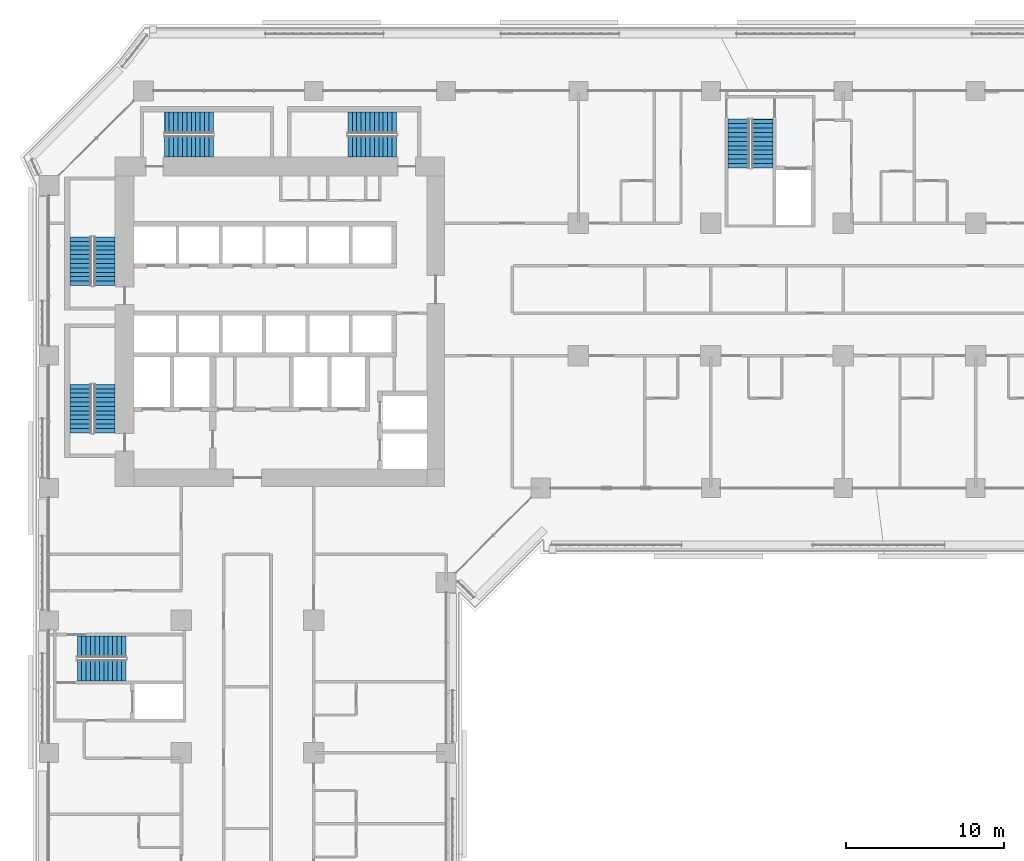
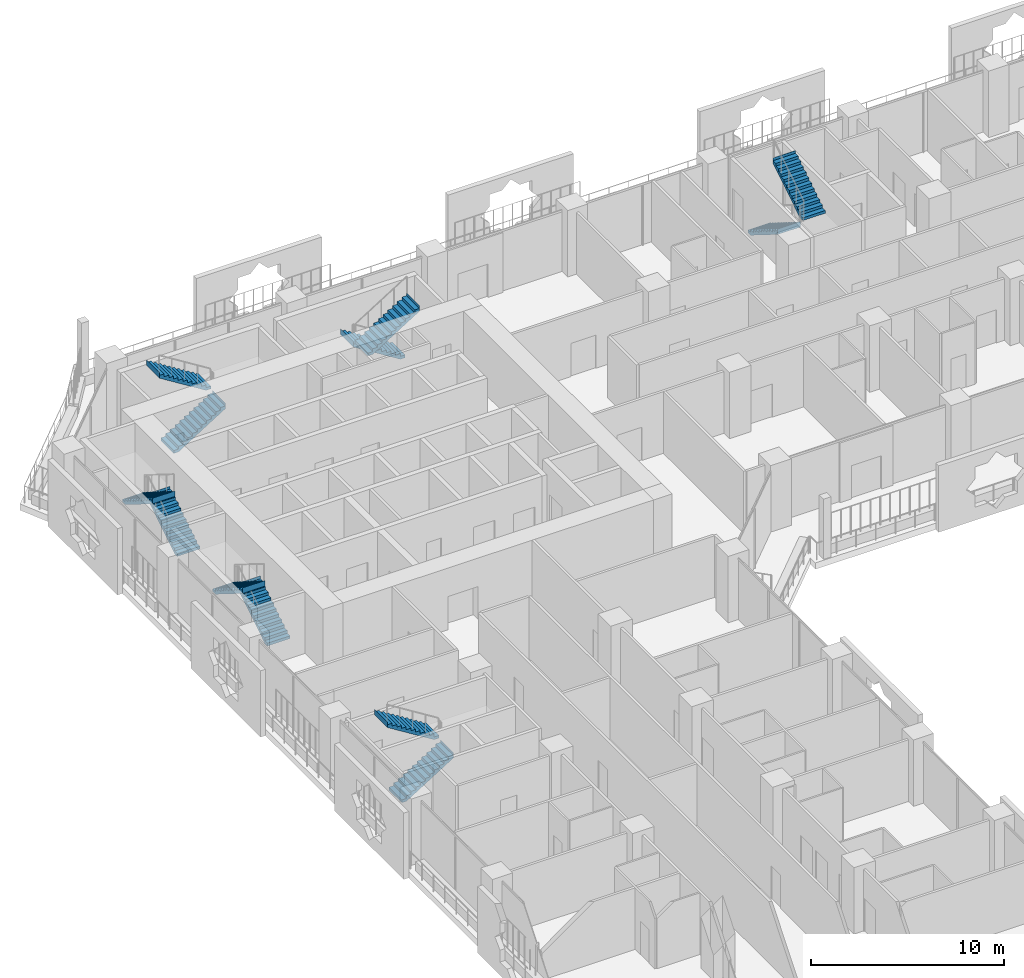
# One storey, part 19 of 27: 12 stair flights, 6 elements without a shape of their own.
"""IFC4 building model written with IfcOpenShell, lengths in metres."""

from ifc_helpers import new_model, si_unit, direction, frame, origin, place, context, subcontext, project, spatial, polyline, outline, extrude, material, type_object, element, aggregate, save


model = new_model("IFC4")

# Units and contexts
model_context = context("Model", 3, precision=1e-05, world=origin(), true_north=direction((0.0, 1.0)))
body_context = subcontext(model_context, "Body", "Model", "MODEL_VIEW")
ifc_project = project(units=[si_unit("LENGTHUNIT", "METRE"), si_unit("AREAUNIT", "SQUARE_METRE"), si_unit("VOLUMEUNIT", "CUBIC_METRE"), si_unit("PLANEANGLEUNIT", "RADIAN"), si_unit("MASSUNIT", "GRAM", prefix="KILO")], contexts=[model_context])

# Site, building, storey
site_placement = place(None, origin())
site = spatial("IfcSite", under=ifc_project, at=site_placement, CompositionType="ELEMENT")
building_placement = place(site_placement, origin())
building = spatial("IfcBuilding", under=site, at=building_placement, Name="Kawkab Arch Medical Tower", CompositionType="ELEMENT")
storey_placement = place(building_placement, frame((0.0, 0.0, 85.39990234375)))
storey = spatial("IfcBuildingStorey", under=building, at=storey_placement, Name="L19", CompositionType="ELEMENT", Elevation=85.39990234375)

# Stair, stair flights
ifc_material_1 = material(Name="Concrete C40/50", Category="concrete")
stair_type = type_object("IfcStairType", Name="Exit stair 1350", PredefinedType="HALF_TURN_STAIR", material=ifc_material_1)
placement = place(storey_placement, origin())
stair_1 = element("IfcStair", 1, at=placement, inside=storey, type_object=stair_type, Name="L19 Exit stair ST1", PredefinedType="HALF_TURN_STAIR")
ifc_material_2 = material(Name="Concrete C40/50", Category="concrete")
stair_flight_type = type_object("IfcStairFlightType", Name="Exit stair flight 1350", PredefinedType="STRAIGHT", material=ifc_material_2)
stair_flight_1_placement = place(storey_placement, frame((3.52490234375, -12.35009765625, 0.0), z_axis=(0.0, 0.0, 1.0), x_axis=(0.0, 1.0, 0.0)))
stair_flight_1 = element("IfcStairFlight", 2, at=stair_flight_1_placement, type_object=stair_flight_type, Name="ST1 flight 1", NumberOfRisers=12, NumberOfTreads=11, PredefinedType="STRAIGHT", RiserHeight=0.175, TreadLength=0.28, context=body_context, shape_type="SweptSolid", body=[
    extrude(outline(polyline([(-0.0029296875, 0.0), (-0.0029296875, 0.175048828125), (0.0, 0.175048828125), (0.280029296875, 0.175048828125), (0.280029296875, 0.35009765625), (0.56005859375, 0.35009765625), (0.56005859375, 0.52490234375), (0.840087890625, 0.52490234375), (0.840087890625, 0.699951171875), (1.1201171875, 0.699951171875), (1.1201171875, 0.875), (1.39990234375, 0.875), (1.39990234375, 1.050048828125), (1.679931640625, 1.050048828125), (1.679931640625, 1.22509765625), (1.9599609375, 1.22509765625), (1.9599609375, 1.39990234375), (2.239990234375, 1.39990234375), (2.239990234375, 1.574951171875), (2.52001953125, 1.574951171875), (2.52001953125, 1.75), (2.800048828125, 1.75), (2.800048828125, 1.925048828125), (3.080078125, 1.925048828125), (3.080078125, 2.10009765625), (3.0830078125, 2.10009765625), (3.0830078125, 1.748291015625), (3.080078125, 1.748291015625), (0.28271484375, 0.0), (-0.0029296875, 0.0)])), frame((0.0, 0.675048828125, 0.0), z_axis=(0.0, -1.0, 0.0), x_axis=(1.0, 0.0, 0.0)), (0.0, 0.0, 1.0), 1.35009765625),
])
stair_flight_2_placement = place(storey_placement, frame((2.02490234375, -9.27001953125, 2.10009765625), z_axis=(0.0, 0.0, 1.0), x_axis=(0.0, -1.0, 0.0)))
stair_flight_2 = element("IfcStairFlight", 3, at=stair_flight_2_placement, type_object=stair_flight_type, Name="ST1 flight 2", NumberOfRisers=12, NumberOfTreads=11, PredefinedType="STRAIGHT", RiserHeight=0.175, TreadLength=0.28, context=body_context, shape_type="SweptSolid", body=[
    extrude(outline(polyline([(-0.0029296875, 0.0), (-0.0029296875, 0.175048828125), (0.0, 0.175048828125), (0.280029296875, 0.175048828125), (0.280029296875, 0.35009765625), (0.56005859375, 0.35009765625), (0.56005859375, 0.52490234375), (0.840087890625, 0.52490234375), (0.840087890625, 0.699951171875), (1.1201171875, 0.699951171875), (1.1201171875, 0.875), (1.39990234375, 0.875), (1.39990234375, 1.050048828125), (1.679931640625, 1.050048828125), (1.679931640625, 1.22509765625), (1.9599609375, 1.22509765625), (1.9599609375, 1.39990234375), (2.239990234375, 1.39990234375), (2.239990234375, 1.574951171875), (2.52001953125, 1.574951171875), (2.52001953125, 1.75), (2.800048828125, 1.75), (2.800048828125, 1.925048828125), (3.080078125, 1.925048828125), (3.080078125, 2.10009765625), (3.0830078125, 2.10009765625), (3.0830078125, 1.748291015625), (3.080078125, 1.748291015625), (0.28271484375, 0.0), (-0.0029296875, 0.0)])), frame((0.0, 0.675048828125, 0.0), z_axis=(0.0, -1.0, 0.0), x_axis=(1.0, 0.0, 0.0)), (0.0, 0.0, 1.0), 1.35009765625),
])
aggregate(stair_1, [stair_flight_1, stair_flight_2])

stair_2 = element("IfcStair", 4, at=placement, inside=storey, type_object=stair_type, Name="L19 Exit stair ST2", PredefinedType="HALF_TURN_STAIR")
stair_flight_3_placement = place(storey_placement, frame((3.52490234375, -21.699951171875, 0.0), z_axis=(0.0, 0.0, 1.0), x_axis=(0.0, 1.0, 0.0)))
stair_flight_3 = element("IfcStairFlight", 5, at=stair_flight_3_placement, type_object=stair_flight_type, Name="ST2 flight 1", NumberOfRisers=12, NumberOfTreads=11, PredefinedType="STRAIGHT", RiserHeight=0.175, TreadLength=0.28, context=body_context, shape_type="SweptSolid", body=[
    extrude(outline(polyline([(-0.0029296875, 0.0), (-0.0029296875, 0.175048828125), (0.0, 0.175048828125), (0.280029296875, 0.175048828125), (0.280029296875, 0.35009765625), (0.56005859375, 0.35009765625), (0.56005859375, 0.52490234375), (0.840087890625, 0.52490234375), (0.840087890625, 0.699951171875), (1.1201171875, 0.699951171875), (1.1201171875, 0.875), (1.39990234375, 0.875), (1.39990234375, 1.050048828125), (1.679931640625, 1.050048828125), (1.679931640625, 1.22509765625), (1.9599609375, 1.22509765625), (1.9599609375, 1.39990234375), (2.239990234375, 1.39990234375), (2.239990234375, 1.574951171875), (2.52001953125, 1.574951171875), (2.52001953125, 1.75), (2.800048828125, 1.75), (2.800048828125, 1.925048828125), (3.080078125, 1.925048828125), (3.080078125, 2.10009765625), (3.0830078125, 2.10009765625), (3.0830078125, 1.748291015625), (3.080078125, 1.748291015625), (0.28271484375, 0.0), (-0.0029296875, 0.0)])), frame((0.0, 0.675048828125, 0.0), z_axis=(0.0, -1.0, 0.0), x_axis=(1.0, 0.0, 0.0)), (0.0, 0.0, 1.0), 1.35009765625),
])
stair_flight_4_placement = place(storey_placement, frame((2.02490234375, -18.6201171875, 2.10009765625), z_axis=(0.0, 0.0, 1.0), x_axis=(0.0, -1.0, 0.0)))
stair_flight_4 = element("IfcStairFlight", 6, at=stair_flight_4_placement, type_object=stair_flight_type, Name="ST2 flight 2", NumberOfRisers=12, NumberOfTreads=11, PredefinedType="STRAIGHT", RiserHeight=0.175, TreadLength=0.28, context=body_context, shape_type="SweptSolid", body=[
    extrude(outline(polyline([(-0.0029296875, 0.0), (-0.0029296875, 0.175048828125), (0.0, 0.175048828125), (0.280029296875, 0.175048828125), (0.280029296875, 0.35009765625), (0.56005859375, 0.35009765625), (0.56005859375, 0.52490234375), (0.840087890625, 0.52490234375), (0.840087890625, 0.699951171875), (1.1201171875, 0.699951171875), (1.1201171875, 0.875), (1.39990234375, 0.875), (1.39990234375, 1.050048828125), (1.679931640625, 1.050048828125), (1.679931640625, 1.22509765625), (1.9599609375, 1.22509765625), (1.9599609375, 1.39990234375), (2.239990234375, 1.39990234375), (2.239990234375, 1.574951171875), (2.52001953125, 1.574951171875), (2.52001953125, 1.75), (2.800048828125, 1.75), (2.800048828125, 1.925048828125), (3.080078125, 1.925048828125), (3.080078125, 2.10009765625), (3.0830078125, 2.10009765625), (3.0830078125, 1.748291015625), (3.080078125, 1.748291015625), (0.28271484375, 0.0), (-0.0029296875, 0.0)])), frame((0.0, 0.675048828125, 0.0), z_axis=(0.0, -1.0, 0.0), x_axis=(1.0, 0.0, 0.0)), (0.0, 0.0, 1.0), 1.35009765625),
])
aggregate(stair_2, [stair_flight_3, stair_flight_4])

stair_3 = element("IfcStair", 7, at=placement, inside=storey, type_object=stair_type, Name="L19 Exit stair ST3", PredefinedType="HALF_TURN_STAIR")
stair_flight_5_placement = place(storey_placement, frame((7.35009765625, -3.52490234375, 0.0), z_axis=(0.0, 0.0, 1.0), x_axis=(1.0, 0.0, 0.0)))
stair_flight_5 = element("IfcStairFlight", 8, at=stair_flight_5_placement, type_object=stair_flight_type, Name="ST3 flight 1", NumberOfRisers=12, NumberOfTreads=11, PredefinedType="STRAIGHT", RiserHeight=0.175, TreadLength=0.28, context=body_context, shape_type="SweptSolid", body=[
    extrude(outline(polyline([(-0.0029296875, 0.0), (-0.0029296875, 0.175048828125), (0.0, 0.175048828125), (0.280029296875, 0.175048828125), (0.280029296875, 0.35009765625), (0.56005859375, 0.35009765625), (0.56005859375, 0.52490234375), (0.840087890625, 0.52490234375), (0.840087890625, 0.699951171875), (1.1201171875, 0.699951171875), (1.1201171875, 0.875), (1.39990234375, 0.875), (1.39990234375, 1.050048828125), (1.679931640625, 1.050048828125), (1.679931640625, 1.22509765625), (1.9599609375, 1.22509765625), (1.9599609375, 1.39990234375), (2.239990234375, 1.39990234375), (2.239990234375, 1.574951171875), (2.52001953125, 1.574951171875), (2.52001953125, 1.75), (2.800048828125, 1.75), (2.800048828125, 1.925048828125), (3.080078125, 1.925048828125), (3.080078125, 2.10009765625), (3.0830078125, 2.10009765625), (3.0830078125, 1.748291015625), (3.080078125, 1.748291015625), (0.28271484375, 0.0), (-0.0029296875, 0.0)])), frame((0.0, 0.675048828125, 0.0), z_axis=(0.0, -1.0, 0.0), x_axis=(1.0, 0.0, 0.0)), (0.0, 0.0, 1.0), 1.35009765625),
])
stair_flight_6_placement = place(storey_placement, frame((10.429931640625, -2.02490234375, 2.10009765625), z_axis=(0.0, 0.0, 1.0), x_axis=(-1.0, 0.0, 0.0)))
stair_flight_6 = element("IfcStairFlight", 9, at=stair_flight_6_placement, type_object=stair_flight_type, Name="ST3 flight 2", NumberOfRisers=12, NumberOfTreads=11, PredefinedType="STRAIGHT", RiserHeight=0.175, TreadLength=0.28, context=body_context, shape_type="SweptSolid", body=[
    extrude(outline(polyline([(-0.0029296875, 0.0), (-0.0029296875, 0.175048828125), (0.0, 0.175048828125), (0.280029296875, 0.175048828125), (0.280029296875, 0.35009765625), (0.56005859375, 0.35009765625), (0.56005859375, 0.52490234375), (0.840087890625, 0.52490234375), (0.840087890625, 0.699951171875), (1.1201171875, 0.699951171875), (1.1201171875, 0.875), (1.39990234375, 0.875), (1.39990234375, 1.050048828125), (1.679931640625, 1.050048828125), (1.679931640625, 1.22509765625), (1.9599609375, 1.22509765625), (1.9599609375, 1.39990234375), (2.239990234375, 1.39990234375), (2.239990234375, 1.574951171875), (2.52001953125, 1.574951171875), (2.52001953125, 1.75), (2.800048828125, 1.75), (2.800048828125, 1.925048828125), (3.080078125, 1.925048828125), (3.080078125, 2.10009765625), (3.0830078125, 2.10009765625), (3.0830078125, 1.748291015625), (3.080078125, 1.748291015625), (0.28271484375, 0.0), (-0.0029296875, 0.0)])), frame((0.0, 0.675048828125, 0.0), z_axis=(0.0, -1.0, 0.0), x_axis=(1.0, 0.0, 0.0)), (0.0, 0.0, 1.0), 1.35009765625),
])
aggregate(stair_3, [stair_flight_5, stair_flight_6])

stair_4 = element("IfcStair", 10, at=placement, inside=storey, type_object=stair_type, Name="L19 Exit stair ST4", PredefinedType="HALF_TURN_STAIR")
stair_flight_7_placement = place(storey_placement, frame((22.050048828125, -2.02490234375, 0.0), z_axis=(0.0, 0.0, 1.0), x_axis=(-1.0, 0.0, 0.0)))
stair_flight_7 = element("IfcStairFlight", 11, at=stair_flight_7_placement, type_object=stair_flight_type, Name="ST4 flight 1", NumberOfRisers=12, NumberOfTreads=11, PredefinedType="STRAIGHT", RiserHeight=0.175, TreadLength=0.28, context=body_context, shape_type="SweptSolid", body=[
    extrude(outline(polyline([(-0.0029296875, 0.0), (-0.0029296875, 0.175048828125), (0.0, 0.175048828125), (0.280029296875, 0.175048828125), (0.280029296875, 0.35009765625), (0.56005859375, 0.35009765625), (0.56005859375, 0.52490234375), (0.840087890625, 0.52490234375), (0.840087890625, 0.699951171875), (1.1201171875, 0.699951171875), (1.1201171875, 0.875), (1.39990234375, 0.875), (1.39990234375, 1.050048828125), (1.679931640625, 1.050048828125), (1.679931640625, 1.22509765625), (1.9599609375, 1.22509765625), (1.9599609375, 1.39990234375), (2.239990234375, 1.39990234375), (2.239990234375, 1.574951171875), (2.52001953125, 1.574951171875), (2.52001953125, 1.75), (2.800048828125, 1.75), (2.800048828125, 1.925048828125), (3.080078125, 1.925048828125), (3.080078125, 2.10009765625), (3.0830078125, 2.10009765625), (3.0830078125, 1.748291015625), (3.080078125, 1.748291015625), (0.28271484375, 0.0), (-0.0029296875, 0.0)])), frame((0.0, 0.675048828125, 0.0), z_axis=(0.0, -1.0, 0.0), x_axis=(1.0, 0.0, 0.0)), (0.0, 0.0, 1.0), 1.35009765625),
])
stair_flight_8_placement = place(storey_placement, frame((18.969970703125, -3.52490234375, 2.10009765625), z_axis=(0.0, 0.0, 1.0), x_axis=(1.0, 0.0, 0.0)))
stair_flight_8 = element("IfcStairFlight", 12, at=stair_flight_8_placement, type_object=stair_flight_type, Name="ST4 flight 2", NumberOfRisers=12, NumberOfTreads=11, PredefinedType="STRAIGHT", RiserHeight=0.175, TreadLength=0.28, context=body_context, shape_type="SweptSolid", body=[
    extrude(outline(polyline([(-0.0029296875, 0.0), (-0.0029296875, 0.175048828125), (0.0, 0.175048828125), (0.280029296875, 0.175048828125), (0.280029296875, 0.35009765625), (0.56005859375, 0.35009765625), (0.56005859375, 0.52490234375), (0.840087890625, 0.52490234375), (0.840087890625, 0.699951171875), (1.1201171875, 0.699951171875), (1.1201171875, 0.875), (1.39990234375, 0.875), (1.39990234375, 1.050048828125), (1.679931640625, 1.050048828125), (1.679931640625, 1.22509765625), (1.9599609375, 1.22509765625), (1.9599609375, 1.39990234375), (2.239990234375, 1.39990234375), (2.239990234375, 1.574951171875), (2.52001953125, 1.574951171875), (2.52001953125, 1.75), (2.800048828125, 1.75), (2.800048828125, 1.925048828125), (3.080078125, 1.925048828125), (3.080078125, 2.10009765625), (3.0830078125, 2.10009765625), (3.0830078125, 1.748291015625), (3.080078125, 1.748291015625), (0.28271484375, 0.0), (-0.0029296875, 0.0)])), frame((0.0, 0.675048828125, 0.0), z_axis=(0.0, -1.0, 0.0), x_axis=(1.0, 0.0, 0.0)), (0.0, 0.0, 1.0), 1.35009765625),
])
aggregate(stair_4, [stair_flight_7, stair_flight_8])

stair_5 = element("IfcStair", 13, at=placement, inside=storey, type_object=stair_type, Name="L19 Exit stair ST5", PredefinedType="HALF_TURN_STAIR")
stair_flight_9_placement = place(storey_placement, frame((43.77490234375, -1.800048828125, 0.0), z_axis=(0.0, 0.0, 1.0), x_axis=(0.0, -1.0, 0.0)))
stair_flight_9 = element("IfcStairFlight", 14, at=stair_flight_9_placement, type_object=stair_flight_type, Name="ST5 flight 1", NumberOfRisers=12, NumberOfTreads=11, PredefinedType="STRAIGHT", RiserHeight=0.175, TreadLength=0.28, context=body_context, shape_type="SweptSolid", body=[
    extrude(outline(polyline([(-0.0029296875, 0.0), (-0.0029296875, 0.175048828125), (0.0, 0.175048828125), (0.280029296875, 0.175048828125), (0.280029296875, 0.35009765625), (0.56005859375, 0.35009765625), (0.56005859375, 0.52490234375), (0.840087890625, 0.52490234375), (0.840087890625, 0.699951171875), (1.1201171875, 0.699951171875), (1.1201171875, 0.875), (1.39990234375, 0.875), (1.39990234375, 1.050048828125), (1.679931640625, 1.050048828125), (1.679931640625, 1.22509765625), (1.9599609375, 1.22509765625), (1.9599609375, 1.39990234375), (2.239990234375, 1.39990234375), (2.239990234375, 1.574951171875), (2.52001953125, 1.574951171875), (2.52001953125, 1.75), (2.800048828125, 1.75), (2.800048828125, 1.925048828125), (3.080078125, 1.925048828125), (3.080078125, 2.10009765625), (3.0830078125, 2.10009765625), (3.0830078125, 1.748291015625), (3.080078125, 1.748291015625), (0.28271484375, 0.0), (-0.0029296875, 0.0)])), frame((0.0, 0.675048828125, 0.0), z_axis=(0.0, -1.0, 0.0), x_axis=(1.0, 0.0, 0.0)), (0.0, 0.0, 1.0), 1.35009765625),
])
stair_flight_10_placement = place(storey_placement, frame((45.27490234375, -4.8798828125, 2.10009765625), z_axis=(0.0, 0.0, 1.0), x_axis=(0.0, 1.0, 0.0)))
stair_flight_10 = element("IfcStairFlight", 15, at=stair_flight_10_placement, type_object=stair_flight_type, Name="ST5 flight 2", NumberOfRisers=12, NumberOfTreads=11, PredefinedType="STRAIGHT", RiserHeight=0.175, TreadLength=0.28, context=body_context, shape_type="SweptSolid", body=[
    extrude(outline(polyline([(-0.0029296875, 0.0), (-0.0029296875, 0.175048828125), (0.0, 0.175048828125), (0.280029296875, 0.175048828125), (0.280029296875, 0.35009765625), (0.56005859375, 0.35009765625), (0.56005859375, 0.52490234375), (0.840087890625, 0.52490234375), (0.840087890625, 0.699951171875), (1.1201171875, 0.699951171875), (1.1201171875, 0.875), (1.39990234375, 0.875), (1.39990234375, 1.050048828125), (1.679931640625, 1.050048828125), (1.679931640625, 1.22509765625), (1.9599609375, 1.22509765625), (1.9599609375, 1.39990234375), (2.239990234375, 1.39990234375), (2.239990234375, 1.574951171875), (2.52001953125, 1.574951171875), (2.52001953125, 1.75), (2.800048828125, 1.75), (2.800048828125, 1.925048828125), (3.080078125, 1.925048828125), (3.080078125, 2.10009765625), (3.0830078125, 2.10009765625), (3.0830078125, 1.748291015625), (3.080078125, 1.748291015625), (0.28271484375, 0.0), (-0.0029296875, 0.0)])), frame((0.0, 0.675048828125, 0.0), z_axis=(0.0, -1.0, 0.0), x_axis=(1.0, 0.0, 0.0)), (0.0, 0.0, 1.0), 1.35009765625),
])
aggregate(stair_5, [stair_flight_9, stair_flight_10])

stair_6 = element("IfcStair", 16, at=placement, inside=storey, type_object=stair_type, Name="L19 Exit stair ST6", PredefinedType="HALF_TURN_STAIR")
stair_flight_11_placement = place(storey_placement, frame((1.800048828125, -36.77490234375, 0.0), z_axis=(0.0, 0.0, 1.0), x_axis=(1.0, 0.0, 0.0)))
stair_flight_11 = element("IfcStairFlight", 17, at=stair_flight_11_placement, type_object=stair_flight_type, Name="ST6 flight 1", NumberOfRisers=12, NumberOfTreads=11, PredefinedType="STRAIGHT", RiserHeight=0.175, TreadLength=0.28, context=body_context, shape_type="SweptSolid", body=[
    extrude(outline(polyline([(-0.0029296875, 0.0), (-0.0029296875, 0.175048828125), (0.0, 0.175048828125), (0.280029296875, 0.175048828125), (0.280029296875, 0.35009765625), (0.56005859375, 0.35009765625), (0.56005859375, 0.52490234375), (0.840087890625, 0.52490234375), (0.840087890625, 0.699951171875), (1.1201171875, 0.699951171875), (1.1201171875, 0.875), (1.39990234375, 0.875), (1.39990234375, 1.050048828125), (1.679931640625, 1.050048828125), (1.679931640625, 1.22509765625), (1.9599609375, 1.22509765625), (1.9599609375, 1.39990234375), (2.239990234375, 1.39990234375), (2.239990234375, 1.574951171875), (2.52001953125, 1.574951171875), (2.52001953125, 1.75), (2.800048828125, 1.75), (2.800048828125, 1.925048828125), (3.080078125, 1.925048828125), (3.080078125, 2.10009765625), (3.0830078125, 2.10009765625), (3.0830078125, 1.748291015625), (3.080078125, 1.748291015625), (0.28271484375, 0.0), (-0.0029296875, 0.0)])), frame((0.0, 0.675048828125, 0.0), z_axis=(0.0, -1.0, 0.0), x_axis=(1.0, 0.0, 0.0)), (0.0, 0.0, 1.0), 1.35009765625),
])
stair_flight_12_placement = place(storey_placement, frame((4.8798828125, -35.27490234375, 2.10009765625), z_axis=(0.0, 0.0, 1.0), x_axis=(-1.0, 0.0, 0.0)))
stair_flight_12 = element("IfcStairFlight", 18, at=stair_flight_12_placement, type_object=stair_flight_type, Name="ST6 flight 2", NumberOfRisers=12, NumberOfTreads=11, PredefinedType="STRAIGHT", RiserHeight=0.175, TreadLength=0.28, context=body_context, shape_type="SweptSolid", body=[
    extrude(outline(polyline([(-0.0029296875, 0.0), (-0.0029296875, 0.175048828125), (0.0, 0.175048828125), (0.280029296875, 0.175048828125), (0.280029296875, 0.35009765625), (0.56005859375, 0.35009765625), (0.56005859375, 0.52490234375), (0.840087890625, 0.52490234375), (0.840087890625, 0.699951171875), (1.1201171875, 0.699951171875), (1.1201171875, 0.875), (1.39990234375, 0.875), (1.39990234375, 1.050048828125), (1.679931640625, 1.050048828125), (1.679931640625, 1.22509765625), (1.9599609375, 1.22509765625), (1.9599609375, 1.39990234375), (2.239990234375, 1.39990234375), (2.239990234375, 1.574951171875), (2.52001953125, 1.574951171875), (2.52001953125, 1.75), (2.800048828125, 1.75), (2.800048828125, 1.925048828125), (3.080078125, 1.925048828125), (3.080078125, 2.10009765625), (3.0830078125, 2.10009765625), (3.0830078125, 1.748291015625), (3.080078125, 1.748291015625), (0.28271484375, 0.0), (-0.0029296875, 0.0)])), frame((0.0, 0.675048828125, 0.0), z_axis=(0.0, -1.0, 0.0), x_axis=(1.0, 0.0, 0.0)), (0.0, 0.0, 1.0), 1.35009765625),
])
aggregate(stair_6, [stair_flight_11, stair_flight_12])

save(model, "model.ifc")
